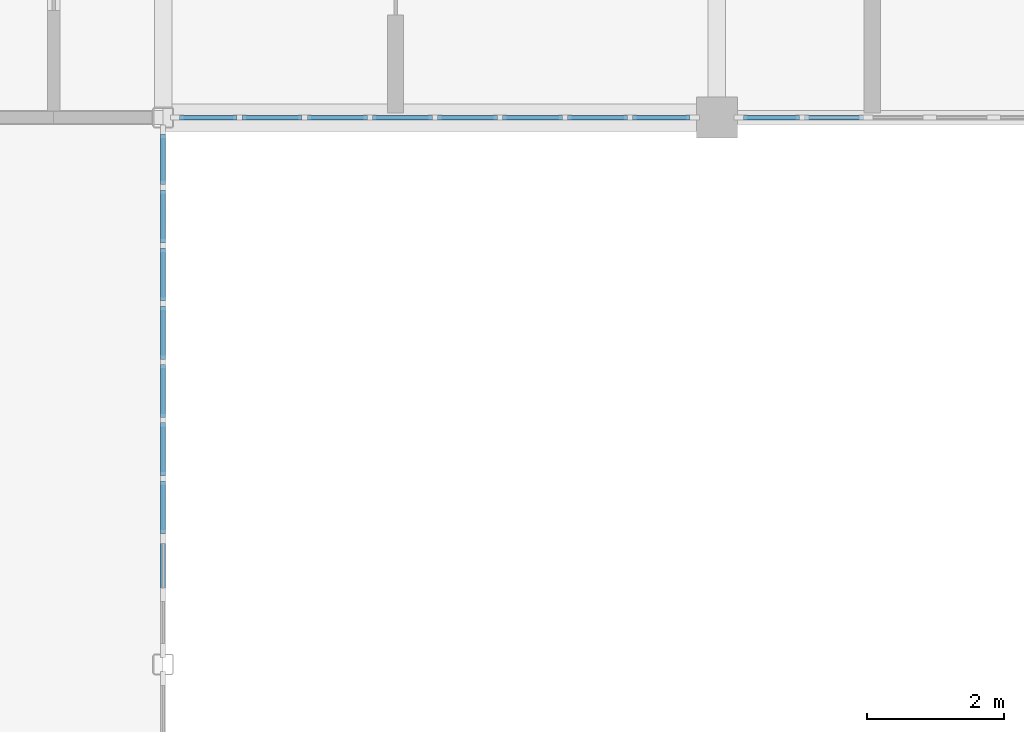
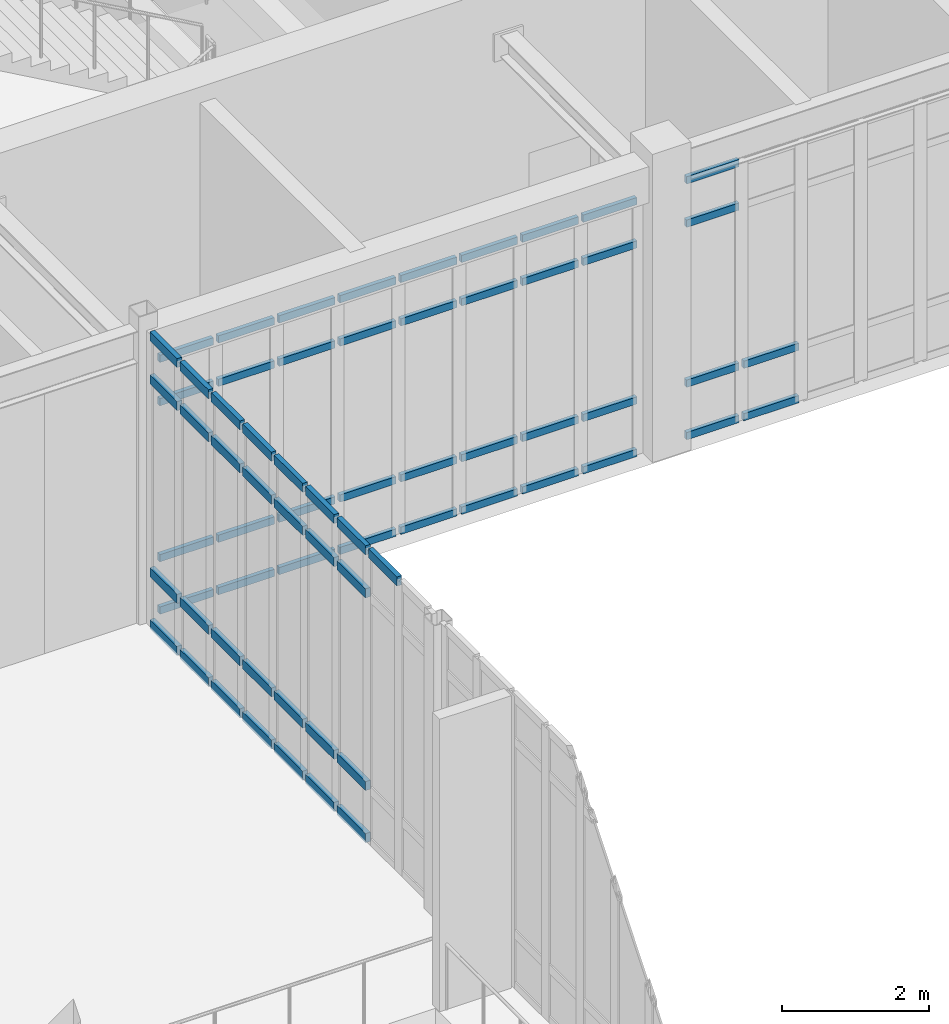
# One storey, part 55 of 107: 67 members, 3 elements without a shape of their own.
"""IFC4 building model written with IfcOpenShell, lengths in metres."""

from ifc_helpers import new_model, si_unit, direction, frame, origin, origin_2d, place, context, subcontext, project, spatial, rectangle, extrude, material, material_profile, profile_set, type_object, element, aggregate, save


model = new_model("IFC4")

# Units and contexts
model_context = context("Model", 3, precision=1e-05, world=origin(), true_north=direction((0.0, 1.0)))
body_context = subcontext(model_context, "Body", "Model", "MODEL_VIEW")
ifc_project = project(units=[si_unit("LENGTHUNIT", "METRE"), si_unit("AREAUNIT", "SQUARE_METRE"), si_unit("VOLUMEUNIT", "CUBIC_METRE"), si_unit("PLANEANGLEUNIT", "RADIAN"), si_unit("MASSUNIT", "GRAM", prefix="KILO")], contexts=[model_context])

# Site, building, storey
site_placement = place(None, origin())
site = spatial("IfcSite", under=ifc_project, at=site_placement, CompositionType="ELEMENT")
building_placement = place(site_placement, origin())
building = spatial("IfcBuilding", under=site, at=building_placement, Name="Tarnveldt Square Police Headquarters", CompositionType="ELEMENT")
storey_placement = place(building_placement, frame((0.0, 0.0, 14.699951171875)))
storey = spatial("IfcBuildingStorey", under=building, at=storey_placement, Name="L03", CompositionType="ELEMENT", Elevation=14.699951171875)

# Curtain wall, members
ifc_material_1 = material(Name="Triple-glazed low-e laminated vision glass", Category="glass")
curtain_wall_type_1 = type_object("IfcCurtainWallType", Name="CW-LB-762x423", PredefinedType="USERDEFINED", material=ifc_material_1)
curtain_wall_1_placement = place(storey_placement, origin())
curtain_wall_1 = element("IfcCurtainWall", 1, at=curtain_wall_1_placement, inside=storey, type_object=curtain_wall_type_1, Name="L03 Curtain Wall CW-L03-119", ObjectType="GLAZED CURTAIN WALL", PredefinedType="USERDEFINED")
ifc_material_2 = material(Name="Thermally broken anodised aluminium 6063-T6", Category="aluminium")
ifc_material_profile_1 = material_profile(ifc_material_2, rectangle(XDim=0.06494140625, YDim=0.1201171875, at=origin_2d()), Name="CW-T65x120")
ifc_profile_set_1 = profile_set([ifc_material_profile_1], Name="Thermally broken anodised aluminium 6063-T6")
member_type_1 = type_object("IfcMemberType", Name="CWT-65x120", PredefinedType="USERDEFINED", material=ifc_profile_set_1)
member_1_placement = place(storey_placement, frame((48.84228515625, 96.0, 0.032470703125), z_axis=(1.0, 0.0, 0.0), x_axis=(0.0, 1.0, 0.0)))
member_1 = element("IfcMember", 2, at=member_1_placement, type_object=member_type_1, Name="CW-LB70 transom 1.1", ObjectType="TRANSOM", PredefinedType="USERDEFINED", context=body_context, shape_type="SweptSolid", body=[
    extrude(rectangle(XDim=0.06494140625, YDim=0.1201171875, at=origin_2d()), origin(), (0.0, 0.0, 1.0), 0.83984375),
])
member_2_placement = place(storey_placement, frame((48.84228515625, 96.0, 0.900146484375), z_axis=(1.0, 0.0, 0.0), x_axis=(0.0, 1.0, 0.0)))
member_2 = element("IfcMember", 3, at=member_2_placement, type_object=member_type_1, Name="CW-LB70 transom 1.2", ObjectType="TRANSOM", PredefinedType="USERDEFINED", context=body_context, shape_type="SweptSolid", body=[
    extrude(rectangle(XDim=0.06494140625, YDim=0.1201171875, at=origin_2d()), origin(), (0.0, 0.0, 1.0), 0.83984375),
])
member_3_placement = place(storey_placement, frame((48.84228515625, 96.0, 3.48193359375), z_axis=(1.0, 0.0, 0.0), x_axis=(0.0, 1.0, 0.0)))
member_3 = element("IfcMember", 4, at=member_3_placement, type_object=member_type_1, Name="CW-LB70 transom 1.3", ObjectType="TRANSOM", PredefinedType="USERDEFINED", context=body_context, shape_type="SweptSolid", body=[
    extrude(rectangle(XDim=0.06494140625, YDim=0.1201171875, at=origin_2d()), origin(), (0.0, 0.0, 1.0), 0.83984375),
])
member_4_placement = place(storey_placement, frame((48.84228515625, 96.0, 4.199462890625), z_axis=(1.0, 0.0, 0.0), x_axis=(0.0, 1.0, 0.0)))
member_4 = element("IfcMember", 5, at=member_4_placement, type_object=member_type_1, Name="CW-LB70 transom 1.4", ObjectType="TRANSOM", PredefinedType="USERDEFINED", context=body_context, shape_type="SweptSolid", body=[
    extrude(rectangle(XDim=0.06494140625, YDim=0.1201171875, at=origin_2d()), origin(), (0.0, 0.0, 1.0), 0.83984375),
])
member_5_placement = place(storey_placement, frame((49.757080078125, 96.0, 0.032470703125), z_axis=(1.0, 0.0, 0.0), x_axis=(0.0, 1.0, 0.0)))
member_5 = element("IfcMember", 6, at=member_5_placement, type_object=member_type_1, Name="CW-LB70 transom 2.1", ObjectType="TRANSOM", PredefinedType="USERDEFINED", context=body_context, shape_type="SweptSolid", body=[
    extrude(rectangle(XDim=0.06494140625, YDim=0.1201171875, at=origin_2d()), origin(), (0.0, 0.0, 1.0), 0.877197265625),
])
member_6_placement = place(storey_placement, frame((49.757080078125, 96.0, 0.900146484375), z_axis=(1.0, 0.0, 0.0), x_axis=(0.0, 1.0, 0.0)))
member_6 = element("IfcMember", 7, at=member_6_placement, type_object=member_type_1, Name="CW-LB70 transom 2.2", ObjectType="TRANSOM", PredefinedType="USERDEFINED", context=body_context, shape_type="SweptSolid", body=[
    extrude(rectangle(XDim=0.06494140625, YDim=0.1201171875, at=origin_2d()), origin(), (0.0, 0.0, 1.0), 0.877197265625),
])
member_7_placement = place(storey_placement, frame((49.757080078125, 96.0, 3.48193359375), z_axis=(1.0, 0.0, 0.0), x_axis=(0.0, 1.0, 0.0)))
member_7 = element("IfcMember", 8, at=member_7_placement, type_object=member_type_1, Name="CW-LB70 transom 2.3", ObjectType="TRANSOM", PredefinedType="USERDEFINED", context=body_context, shape_type="SweptSolid", body=[
    extrude(rectangle(XDim=0.06494140625, YDim=0.1201171875, at=origin_2d()), origin(), (0.0, 0.0, 1.0), 0.877197265625),
])
member_8_placement = place(storey_placement, frame((49.757080078125, 96.0, 4.199462890625), z_axis=(1.0, 0.0, 0.0), x_axis=(0.0, 1.0, 0.0)))
member_8 = element("IfcMember", 9, at=member_8_placement, type_object=member_type_1, Name="CW-LB70 transom 2.4", ObjectType="TRANSOM", PredefinedType="USERDEFINED", context=body_context, shape_type="SweptSolid", body=[
    extrude(rectangle(XDim=0.06494140625, YDim=0.1201171875, at=origin_2d()), origin(), (0.0, 0.0, 1.0), 0.877197265625),
])
member_9_placement = place(storey_placement, frame((50.709228515625, 96.0, 0.032470703125), z_axis=(1.0, 0.0, 0.0), x_axis=(0.0, 1.0, 0.0)))
member_9 = element("IfcMember", 10, at=member_9_placement, type_object=member_type_1, Name="CW-LB70 transom 3.1", ObjectType="TRANSOM", PredefinedType="USERDEFINED", context=body_context, shape_type="SweptSolid", body=[
    extrude(rectangle(XDim=0.06494140625, YDim=0.1201171875, at=origin_2d()), origin(), (0.0, 0.0, 1.0), 0.877197265625),
])
member_10_placement = place(storey_placement, frame((50.709228515625, 96.0, 0.900146484375), z_axis=(1.0, 0.0, 0.0), x_axis=(0.0, 1.0, 0.0)))
member_10 = element("IfcMember", 11, at=member_10_placement, type_object=member_type_1, Name="CW-LB70 transom 3.2", ObjectType="TRANSOM", PredefinedType="USERDEFINED", context=body_context, shape_type="SweptSolid", body=[
    extrude(rectangle(XDim=0.06494140625, YDim=0.1201171875, at=origin_2d()), origin(), (0.0, 0.0, 1.0), 0.877197265625),
])
member_11_placement = place(storey_placement, frame((50.709228515625, 96.0, 3.48193359375), z_axis=(1.0, 0.0, 0.0), x_axis=(0.0, 1.0, 0.0)))
member_11 = element("IfcMember", 12, at=member_11_placement, type_object=member_type_1, Name="CW-LB70 transom 3.3", ObjectType="TRANSOM", PredefinedType="USERDEFINED", context=body_context, shape_type="SweptSolid", body=[
    extrude(rectangle(XDim=0.06494140625, YDim=0.1201171875, at=origin_2d()), origin(), (0.0, 0.0, 1.0), 0.877197265625),
])
member_12_placement = place(storey_placement, frame((50.709228515625, 96.0, 4.199462890625), z_axis=(1.0, 0.0, 0.0), x_axis=(0.0, 1.0, 0.0)))
member_12 = element("IfcMember", 13, at=member_12_placement, type_object=member_type_1, Name="CW-LB70 transom 3.4", ObjectType="TRANSOM", PredefinedType="USERDEFINED", context=body_context, shape_type="SweptSolid", body=[
    extrude(rectangle(XDim=0.06494140625, YDim=0.1201171875, at=origin_2d()), origin(), (0.0, 0.0, 1.0), 0.877197265625),
])
member_13_placement = place(storey_placement, frame((51.66162109375, 96.0, 0.032470703125), z_axis=(1.0, 0.0, 0.0), x_axis=(0.0, 1.0, 0.0)))
member_13 = element("IfcMember", 14, at=member_13_placement, type_object=member_type_1, Name="CW-LB70 transom 4.1", ObjectType="TRANSOM", PredefinedType="USERDEFINED", context=body_context, shape_type="SweptSolid", body=[
    extrude(rectangle(XDim=0.06494140625, YDim=0.1201171875, at=origin_2d()), origin(), (0.0, 0.0, 1.0), 0.877197265625),
])
member_14_placement = place(storey_placement, frame((51.66162109375, 96.0, 0.900146484375), z_axis=(1.0, 0.0, 0.0), x_axis=(0.0, 1.0, 0.0)))
member_14 = element("IfcMember", 15, at=member_14_placement, type_object=member_type_1, Name="CW-LB70 transom 4.2", ObjectType="TRANSOM", PredefinedType="USERDEFINED", context=body_context, shape_type="SweptSolid", body=[
    extrude(rectangle(XDim=0.06494140625, YDim=0.1201171875, at=origin_2d()), origin(), (0.0, 0.0, 1.0), 0.877197265625),
])
member_15_placement = place(storey_placement, frame((51.66162109375, 96.0, 3.48193359375), z_axis=(1.0, 0.0, 0.0), x_axis=(0.0, 1.0, 0.0)))
member_15 = element("IfcMember", 16, at=member_15_placement, type_object=member_type_1, Name="CW-LB70 transom 4.3", ObjectType="TRANSOM", PredefinedType="USERDEFINED", context=body_context, shape_type="SweptSolid", body=[
    extrude(rectangle(XDim=0.06494140625, YDim=0.1201171875, at=origin_2d()), origin(), (0.0, 0.0, 1.0), 0.877197265625),
])
member_16_placement = place(storey_placement, frame((51.66162109375, 96.0, 4.199462890625), z_axis=(1.0, 0.0, 0.0), x_axis=(0.0, 1.0, 0.0)))
member_16 = element("IfcMember", 17, at=member_16_placement, type_object=member_type_1, Name="CW-LB70 transom 4.4", ObjectType="TRANSOM", PredefinedType="USERDEFINED", context=body_context, shape_type="SweptSolid", body=[
    extrude(rectangle(XDim=0.06494140625, YDim=0.1201171875, at=origin_2d()), origin(), (0.0, 0.0, 1.0), 0.877197265625),
])
member_17_placement = place(storey_placement, frame((52.61376953125, 96.0, 0.032470703125), z_axis=(1.0, 0.0, 0.0), x_axis=(0.0, 1.0, 0.0)))
member_17 = element("IfcMember", 18, at=member_17_placement, type_object=member_type_1, Name="CW-LB70 transom 5.1", ObjectType="TRANSOM", PredefinedType="USERDEFINED", context=body_context, shape_type="SweptSolid", body=[
    extrude(rectangle(XDim=0.06494140625, YDim=0.1201171875, at=origin_2d()), origin(), (0.0, 0.0, 1.0), 0.877197265625),
])
member_18_placement = place(storey_placement, frame((52.61376953125, 96.0, 0.900146484375), z_axis=(1.0, 0.0, 0.0), x_axis=(0.0, 1.0, 0.0)))
member_18 = element("IfcMember", 19, at=member_18_placement, type_object=member_type_1, Name="CW-LB70 transom 5.2", ObjectType="TRANSOM", PredefinedType="USERDEFINED", context=body_context, shape_type="SweptSolid", body=[
    extrude(rectangle(XDim=0.06494140625, YDim=0.1201171875, at=origin_2d()), origin(), (0.0, 0.0, 1.0), 0.877197265625),
])
member_19_placement = place(storey_placement, frame((52.61376953125, 96.0, 3.48193359375), z_axis=(1.0, 0.0, 0.0), x_axis=(0.0, 1.0, 0.0)))
member_19 = element("IfcMember", 20, at=member_19_placement, type_object=member_type_1, Name="CW-LB70 transom 5.3", ObjectType="TRANSOM", PredefinedType="USERDEFINED", context=body_context, shape_type="SweptSolid", body=[
    extrude(rectangle(XDim=0.06494140625, YDim=0.1201171875, at=origin_2d()), origin(), (0.0, 0.0, 1.0), 0.877197265625),
])
member_20_placement = place(storey_placement, frame((52.61376953125, 96.0, 4.199462890625), z_axis=(1.0, 0.0, 0.0), x_axis=(0.0, 1.0, 0.0)))
member_20 = element("IfcMember", 21, at=member_20_placement, type_object=member_type_1, Name="CW-LB70 transom 5.4", ObjectType="TRANSOM", PredefinedType="USERDEFINED", context=body_context, shape_type="SweptSolid", body=[
    extrude(rectangle(XDim=0.06494140625, YDim=0.1201171875, at=origin_2d()), origin(), (0.0, 0.0, 1.0), 0.877197265625),
])
member_21_placement = place(storey_placement, frame((53.56591796875, 96.0, 0.032470703125), z_axis=(1.0, 0.0, 0.0), x_axis=(0.0, 1.0, 0.0)))
member_21 = element("IfcMember", 22, at=member_21_placement, type_object=member_type_1, Name="CW-LB70 transom 6.1", ObjectType="TRANSOM", PredefinedType="USERDEFINED", context=body_context, shape_type="SweptSolid", body=[
    extrude(rectangle(XDim=0.06494140625, YDim=0.1201171875, at=origin_2d()), origin(), (0.0, 0.0, 1.0), 0.877197265625),
])
member_22_placement = place(storey_placement, frame((53.56591796875, 96.0, 0.900146484375), z_axis=(1.0, 0.0, 0.0), x_axis=(0.0, 1.0, 0.0)))
member_22 = element("IfcMember", 23, at=member_22_placement, type_object=member_type_1, Name="CW-LB70 transom 6.2", ObjectType="TRANSOM", PredefinedType="USERDEFINED", context=body_context, shape_type="SweptSolid", body=[
    extrude(rectangle(XDim=0.06494140625, YDim=0.1201171875, at=origin_2d()), origin(), (0.0, 0.0, 1.0), 0.877197265625),
])
member_23_placement = place(storey_placement, frame((53.56591796875, 96.0, 3.48193359375), z_axis=(1.0, 0.0, 0.0), x_axis=(0.0, 1.0, 0.0)))
member_23 = element("IfcMember", 24, at=member_23_placement, type_object=member_type_1, Name="CW-LB70 transom 6.3", ObjectType="TRANSOM", PredefinedType="USERDEFINED", context=body_context, shape_type="SweptSolid", body=[
    extrude(rectangle(XDim=0.06494140625, YDim=0.1201171875, at=origin_2d()), origin(), (0.0, 0.0, 1.0), 0.877197265625),
])
member_24_placement = place(storey_placement, frame((53.56591796875, 96.0, 4.199462890625), z_axis=(1.0, 0.0, 0.0), x_axis=(0.0, 1.0, 0.0)))
member_24 = element("IfcMember", 25, at=member_24_placement, type_object=member_type_1, Name="CW-LB70 transom 6.4", ObjectType="TRANSOM", PredefinedType="USERDEFINED", context=body_context, shape_type="SweptSolid", body=[
    extrude(rectangle(XDim=0.06494140625, YDim=0.1201171875, at=origin_2d()), origin(), (0.0, 0.0, 1.0), 0.877197265625),
])
member_25_placement = place(storey_placement, frame((54.51806640625, 96.0, 0.032470703125), z_axis=(1.0, 0.0, 0.0), x_axis=(0.0, 1.0, 0.0)))
member_25 = element("IfcMember", 26, at=member_25_placement, type_object=member_type_1, Name="CW-LB70 transom 7.1", ObjectType="TRANSOM", PredefinedType="USERDEFINED", context=body_context, shape_type="SweptSolid", body=[
    extrude(rectangle(XDim=0.06494140625, YDim=0.1201171875, at=origin_2d()), origin(), (0.0, 0.0, 1.0), 0.877197265625),
])
member_26_placement = place(storey_placement, frame((54.51806640625, 96.0, 0.900146484375), z_axis=(1.0, 0.0, 0.0), x_axis=(0.0, 1.0, 0.0)))
member_26 = element("IfcMember", 27, at=member_26_placement, type_object=member_type_1, Name="CW-LB70 transom 7.2", ObjectType="TRANSOM", PredefinedType="USERDEFINED", context=body_context, shape_type="SweptSolid", body=[
    extrude(rectangle(XDim=0.06494140625, YDim=0.1201171875, at=origin_2d()), origin(), (0.0, 0.0, 1.0), 0.877197265625),
])
member_27_placement = place(storey_placement, frame((54.51806640625, 96.0, 3.48193359375), z_axis=(1.0, 0.0, 0.0), x_axis=(0.0, 1.0, 0.0)))
member_27 = element("IfcMember", 28, at=member_27_placement, type_object=member_type_1, Name="CW-LB70 transom 7.3", ObjectType="TRANSOM", PredefinedType="USERDEFINED", context=body_context, shape_type="SweptSolid", body=[
    extrude(rectangle(XDim=0.06494140625, YDim=0.1201171875, at=origin_2d()), origin(), (0.0, 0.0, 1.0), 0.877197265625),
])
member_28_placement = place(storey_placement, frame((54.51806640625, 96.0, 4.199462890625), z_axis=(1.0, 0.0, 0.0), x_axis=(0.0, 1.0, 0.0)))
member_28 = element("IfcMember", 29, at=member_28_placement, type_object=member_type_1, Name="CW-LB70 transom 7.4", ObjectType="TRANSOM", PredefinedType="USERDEFINED", context=body_context, shape_type="SweptSolid", body=[
    extrude(rectangle(XDim=0.06494140625, YDim=0.1201171875, at=origin_2d()), origin(), (0.0, 0.0, 1.0), 0.877197265625),
])
member_29_placement = place(storey_placement, frame((55.47021484375, 96.0, 0.032470703125), z_axis=(1.0, 0.0, 0.0), x_axis=(0.0, 1.0, 0.0)))
member_29 = element("IfcMember", 30, at=member_29_placement, type_object=member_type_1, Name="CW-LB70 transom 8.1", ObjectType="TRANSOM", PredefinedType="USERDEFINED", context=body_context, shape_type="SweptSolid", body=[
    extrude(rectangle(XDim=0.06494140625, YDim=0.1201171875, at=origin_2d()), origin(), (0.0, 0.0, 1.0), 0.83984375),
])
member_30_placement = place(storey_placement, frame((55.47021484375, 96.0, 0.900146484375), z_axis=(1.0, 0.0, 0.0), x_axis=(0.0, 1.0, 0.0)))
member_30 = element("IfcMember", 31, at=member_30_placement, type_object=member_type_1, Name="CW-LB70 transom 8.2", ObjectType="TRANSOM", PredefinedType="USERDEFINED", context=body_context, shape_type="SweptSolid", body=[
    extrude(rectangle(XDim=0.06494140625, YDim=0.1201171875, at=origin_2d()), origin(), (0.0, 0.0, 1.0), 0.83984375),
])
member_31_placement = place(storey_placement, frame((55.47021484375, 96.0, 3.48193359375), z_axis=(1.0, 0.0, 0.0), x_axis=(0.0, 1.0, 0.0)))
member_31 = element("IfcMember", 32, at=member_31_placement, type_object=member_type_1, Name="CW-LB70 transom 8.3", ObjectType="TRANSOM", PredefinedType="USERDEFINED", context=body_context, shape_type="SweptSolid", body=[
    extrude(rectangle(XDim=0.06494140625, YDim=0.1201171875, at=origin_2d()), origin(), (0.0, 0.0, 1.0), 0.83984375),
])
member_32_placement = place(storey_placement, frame((55.47021484375, 96.0, 4.199462890625), z_axis=(1.0, 0.0, 0.0), x_axis=(0.0, 1.0, 0.0)))
member_32 = element("IfcMember", 33, at=member_32_placement, type_object=member_type_1, Name="CW-LB70 transom 8.4", ObjectType="TRANSOM", PredefinedType="USERDEFINED", context=body_context, shape_type="SweptSolid", body=[
    extrude(rectangle(XDim=0.06494140625, YDim=0.1201171875, at=origin_2d()), origin(), (0.0, 0.0, 1.0), 0.83984375),
])
aggregate(curtain_wall_1, [member_1, member_2, member_3, member_4, member_5, member_6, member_7, member_8, member_9, member_10, member_11, member_12, member_13, member_14, member_15, member_16, member_17, member_18, member_19, member_20, member_21, member_22, member_23, member_24, member_25, member_26, member_27, member_28, member_29, member_30, member_31, member_32])

curtain_wall_type_2 = type_object("IfcCurtainWallType", Name="CW-LB-747x430", PredefinedType="USERDEFINED", material=ifc_material_1)
curtain_wall_2_placement = place(storey_placement, origin())
curtain_wall_2 = element("IfcCurtainWall", 34, at=curtain_wall_2_placement, inside=storey, type_object=curtain_wall_type_2, Name="L03 Curtain Wall CW-L03-120", ObjectType="GLAZED CURTAIN WALL", PredefinedType="USERDEFINED")
member_33_placement = place(storey_placement, frame((57.090087890625, 96.0, 0.032470703125), z_axis=(1.0, 0.0, 0.0), x_axis=(0.0, 1.0, 0.0)))
member_33 = element("IfcMember", 35, at=member_33_placement, type_object=member_type_1, Name="CW-LB71 transom 1.1", ObjectType="TRANSOM", PredefinedType="USERDEFINED", context=body_context, shape_type="SweptSolid", body=[
    extrude(rectangle(XDim=0.06494140625, YDim=0.1201171875, at=origin_2d()), origin(), (0.0, 0.0, 1.0), 0.821044921875),
])
member_34_placement = place(storey_placement, frame((57.090087890625, 96.0, 0.900146484375), z_axis=(1.0, 0.0, 0.0), x_axis=(0.0, 1.0, 0.0)))
member_34 = element("IfcMember", 36, at=member_34_placement, type_object=member_type_1, Name="CW-LB71 transom 1.2", ObjectType="TRANSOM", PredefinedType="USERDEFINED", context=body_context, shape_type="SweptSolid", body=[
    extrude(rectangle(XDim=0.06494140625, YDim=0.1201171875, at=origin_2d()), origin(), (0.0, 0.0, 1.0), 0.821044921875),
])
member_35_placement = place(storey_placement, frame((57.090087890625, 96.0, 3.549072265625), z_axis=(1.0, 0.0, 0.0), x_axis=(0.0, 1.0, 0.0)))
member_35 = element("IfcMember", 37, at=member_35_placement, type_object=member_type_1, Name="CW-LB71 transom 1.3", ObjectType="TRANSOM", PredefinedType="USERDEFINED", context=body_context, shape_type="SweptSolid", body=[
    extrude(rectangle(XDim=0.06494140625, YDim=0.1201171875, at=origin_2d()), origin(), (0.0, 0.0, 1.0), 0.821044921875),
])
member_36_placement = place(storey_placement, frame((57.090087890625, 96.0, 4.2666015625), z_axis=(1.0, 0.0, 0.0), x_axis=(0.0, 1.0, 0.0)))
member_36 = element("IfcMember", 38, at=member_36_placement, type_object=member_type_1, Name="CW-LB71 transom 1.4", ObjectType="TRANSOM", PredefinedType="USERDEFINED", context=body_context, shape_type="SweptSolid", body=[
    extrude(rectangle(XDim=0.06494140625, YDim=0.1201171875, at=origin_2d()), origin(), (0.0, 0.0, 1.0), 0.821044921875),
])
member_37_placement = place(storey_placement, frame((57.986328125, 96.0, 0.032470703125), z_axis=(1.0, 0.0, 0.0), x_axis=(0.0, 1.0, 0.0)))
member_37 = element("IfcMember", 39, at=member_37_placement, type_object=member_type_1, Name="CW-LB71 transom 2.1", ObjectType="TRANSOM", PredefinedType="USERDEFINED", context=body_context, shape_type="SweptSolid", body=[
    extrude(rectangle(XDim=0.06494140625, YDim=0.1201171875, at=origin_2d()), origin(), (0.0, 0.0, 1.0), 0.858642578125),
])
member_38_placement = place(storey_placement, frame((57.986328125, 96.0, 0.900146484375), z_axis=(1.0, 0.0, 0.0), x_axis=(0.0, 1.0, 0.0)))
member_38 = element("IfcMember", 40, at=member_38_placement, type_object=member_type_1, Name="CW-LB71 transom 2.2", ObjectType="TRANSOM", PredefinedType="USERDEFINED", context=body_context, shape_type="SweptSolid", body=[
    extrude(rectangle(XDim=0.06494140625, YDim=0.1201171875, at=origin_2d()), origin(), (0.0, 0.0, 1.0), 0.858642578125),
])
aggregate(curtain_wall_2, [member_33, member_34, member_35, member_36, member_37, member_38])

curtain_wall_type_3 = type_object("IfcCurtainWallType", Name="CW-WG-767x484", PredefinedType="USERDEFINED", material=ifc_material_1)
curtain_wall_3_placement = place(storey_placement, origin())
curtain_wall_3 = element("IfcCurtainWall", 41, at=curtain_wall_3_placement, inside=storey, type_object=curtain_wall_type_3, Name="L03 Curtain Wall CW-L03-082", ObjectType="GLAZED CURTAIN WALL", PredefinedType="USERDEFINED")
ifc_material_profile_2 = material_profile(ifc_material_2, rectangle(XDim=0.074951171875, YDim=0.14990234375, at=origin_2d()), Name="CW-T75x150")
ifc_profile_set_2 = profile_set([ifc_material_profile_2], Name="Thermally broken anodised aluminium 6063-T6")
member_type_2 = type_object("IfcMemberType", Name="CWT-75x150", PredefinedType="USERDEFINED", material=ifc_profile_set_2)
member_39_placement = place(storey_placement, frame((48.60009765625, 89.056640625, 4.802490234375), z_axis=(0.0, 1.0, 0.0), x_axis=(-1.0, 0.0, 0.0)))
member_39 = element("IfcMember", 42, at=member_39_placement, type_object=member_type_2, Name="CW-WG40 transom 2.4", ObjectType="TRANSOM", PredefinedType="USERDEFINED", context=body_context, shape_type="SweptSolid", body=[
    extrude(rectangle(XDim=0.074951171875, YDim=0.14990234375, at=origin_2d()), origin(), (0.0, 0.0, 1.0), 0.776611328125),
])
member_40_placement = place(storey_placement, frame((48.60009765625, 89.908203125, 0.03759765625), z_axis=(0.0, 1.0, 0.0), x_axis=(-1.0, 0.0, 0.0)))
member_40 = element("IfcMember", 43, at=member_40_placement, type_object=member_type_2, Name="CW-WG40 transom 3.1", ObjectType="TRANSOM", PredefinedType="USERDEFINED", context=body_context, shape_type="SweptSolid", body=[
    extrude(rectangle(XDim=0.074951171875, YDim=0.14990234375, at=origin_2d()), origin(), (0.0, 0.0, 1.0), 0.77685546875),
])
member_41_placement = place(storey_placement, frame((48.60009765625, 89.908203125, 0.900146484375), z_axis=(0.0, 1.0, 0.0), x_axis=(-1.0, 0.0, 0.0)))
member_41 = element("IfcMember", 44, at=member_41_placement, type_object=member_type_2, Name="CW-WG40 transom 3.2", ObjectType="TRANSOM", PredefinedType="USERDEFINED", context=body_context, shape_type="SweptSolid", body=[
    extrude(rectangle(XDim=0.074951171875, YDim=0.14990234375, at=origin_2d()), origin(), (0.0, 0.0, 1.0), 0.77685546875),
])
member_42_placement = place(storey_placement, frame((48.60009765625, 89.908203125, 4.090087890625), z_axis=(0.0, 1.0, 0.0), x_axis=(-1.0, 0.0, 0.0)))
member_42 = element("IfcMember", 45, at=member_42_placement, type_object=member_type_2, Name="CW-WG40 transom 3.3", ObjectType="TRANSOM", PredefinedType="USERDEFINED", context=body_context, shape_type="SweptSolid", body=[
    extrude(rectangle(XDim=0.074951171875, YDim=0.14990234375, at=origin_2d()), origin(), (0.0, 0.0, 1.0), 0.77685546875),
])
member_43_placement = place(storey_placement, frame((48.60009765625, 89.908203125, 4.802490234375), z_axis=(0.0, 1.0, 0.0), x_axis=(-1.0, 0.0, 0.0)))
member_43 = element("IfcMember", 46, at=member_43_placement, type_object=member_type_2, Name="CW-WG40 transom 3.4", ObjectType="TRANSOM", PredefinedType="USERDEFINED", context=body_context, shape_type="SweptSolid", body=[
    extrude(rectangle(XDim=0.074951171875, YDim=0.14990234375, at=origin_2d()), origin(), (0.0, 0.0, 1.0), 0.77685546875),
])
member_44_placement = place(storey_placement, frame((48.60009765625, 90.760009765625, 0.03759765625), z_axis=(0.0, 1.0, 0.0), x_axis=(-1.0, 0.0, 0.0)))
member_44 = element("IfcMember", 47, at=member_44_placement, type_object=member_type_2, Name="CW-WG40 transom 4.1", ObjectType="TRANSOM", PredefinedType="USERDEFINED", context=body_context, shape_type="SweptSolid", body=[
    extrude(rectangle(XDim=0.074951171875, YDim=0.14990234375, at=origin_2d()), origin(), (0.0, 0.0, 1.0), 0.776611328125),
])
member_45_placement = place(storey_placement, frame((48.60009765625, 90.760009765625, 0.900146484375), z_axis=(0.0, 1.0, 0.0), x_axis=(-1.0, 0.0, 0.0)))
member_45 = element("IfcMember", 48, at=member_45_placement, type_object=member_type_2, Name="CW-WG40 transom 4.2", ObjectType="TRANSOM", PredefinedType="USERDEFINED", context=body_context, shape_type="SweptSolid", body=[
    extrude(rectangle(XDim=0.074951171875, YDim=0.14990234375, at=origin_2d()), origin(), (0.0, 0.0, 1.0), 0.776611328125),
])
member_46_placement = place(storey_placement, frame((48.60009765625, 90.760009765625, 4.090087890625), z_axis=(0.0, 1.0, 0.0), x_axis=(-1.0, 0.0, 0.0)))
member_46 = element("IfcMember", 49, at=member_46_placement, type_object=member_type_2, Name="CW-WG40 transom 4.3", ObjectType="TRANSOM", PredefinedType="USERDEFINED", context=body_context, shape_type="SweptSolid", body=[
    extrude(rectangle(XDim=0.074951171875, YDim=0.14990234375, at=origin_2d()), origin(), (0.0, 0.0, 1.0), 0.776611328125),
])
member_47_placement = place(storey_placement, frame((48.60009765625, 90.760009765625, 4.802490234375), z_axis=(0.0, 1.0, 0.0), x_axis=(-1.0, 0.0, 0.0)))
member_47 = element("IfcMember", 50, at=member_47_placement, type_object=member_type_2, Name="CW-WG40 transom 4.4", ObjectType="TRANSOM", PredefinedType="USERDEFINED", context=body_context, shape_type="SweptSolid", body=[
    extrude(rectangle(XDim=0.074951171875, YDim=0.14990234375, at=origin_2d()), origin(), (0.0, 0.0, 1.0), 0.776611328125),
])
member_48_placement = place(storey_placement, frame((48.60009765625, 91.611572265625, 0.03759765625), z_axis=(0.0, 1.0, 0.0), x_axis=(-1.0, 0.0, 0.0)))
member_48 = element("IfcMember", 51, at=member_48_placement, type_object=member_type_2, Name="CW-WG40 transom 5.1", ObjectType="TRANSOM", PredefinedType="USERDEFINED", context=body_context, shape_type="SweptSolid", body=[
    extrude(rectangle(XDim=0.074951171875, YDim=0.14990234375, at=origin_2d()), origin(), (0.0, 0.0, 1.0), 0.77685546875),
])
member_49_placement = place(storey_placement, frame((48.60009765625, 91.611572265625, 0.900146484375), z_axis=(0.0, 1.0, 0.0), x_axis=(-1.0, 0.0, 0.0)))
member_49 = element("IfcMember", 52, at=member_49_placement, type_object=member_type_2, Name="CW-WG40 transom 5.2", ObjectType="TRANSOM", PredefinedType="USERDEFINED", context=body_context, shape_type="SweptSolid", body=[
    extrude(rectangle(XDim=0.074951171875, YDim=0.14990234375, at=origin_2d()), origin(), (0.0, 0.0, 1.0), 0.77685546875),
])
member_50_placement = place(storey_placement, frame((48.60009765625, 91.611572265625, 4.090087890625), z_axis=(0.0, 1.0, 0.0), x_axis=(-1.0, 0.0, 0.0)))
member_50 = element("IfcMember", 53, at=member_50_placement, type_object=member_type_2, Name="CW-WG40 transom 5.3", ObjectType="TRANSOM", PredefinedType="USERDEFINED", context=body_context, shape_type="SweptSolid", body=[
    extrude(rectangle(XDim=0.074951171875, YDim=0.14990234375, at=origin_2d()), origin(), (0.0, 0.0, 1.0), 0.77685546875),
])
member_51_placement = place(storey_placement, frame((48.60009765625, 91.611572265625, 4.802490234375), z_axis=(0.0, 1.0, 0.0), x_axis=(-1.0, 0.0, 0.0)))
member_51 = element("IfcMember", 54, at=member_51_placement, type_object=member_type_2, Name="CW-WG40 transom 5.4", ObjectType="TRANSOM", PredefinedType="USERDEFINED", context=body_context, shape_type="SweptSolid", body=[
    extrude(rectangle(XDim=0.074951171875, YDim=0.14990234375, at=origin_2d()), origin(), (0.0, 0.0, 1.0), 0.77685546875),
])
member_52_placement = place(storey_placement, frame((48.60009765625, 92.46337890625, 0.03759765625), z_axis=(0.0, 1.0, 0.0), x_axis=(-1.0, 0.0, 0.0)))
member_52 = element("IfcMember", 55, at=member_52_placement, type_object=member_type_2, Name="CW-WG40 transom 6.1", ObjectType="TRANSOM", PredefinedType="USERDEFINED", context=body_context, shape_type="SweptSolid", body=[
    extrude(rectangle(XDim=0.074951171875, YDim=0.14990234375, at=origin_2d()), origin(), (0.0, 0.0, 1.0), 0.776611328125),
])
member_53_placement = place(storey_placement, frame((48.60009765625, 92.46337890625, 0.900146484375), z_axis=(0.0, 1.0, 0.0), x_axis=(-1.0, 0.0, 0.0)))
member_53 = element("IfcMember", 56, at=member_53_placement, type_object=member_type_2, Name="CW-WG40 transom 6.2", ObjectType="TRANSOM", PredefinedType="USERDEFINED", context=body_context, shape_type="SweptSolid", body=[
    extrude(rectangle(XDim=0.074951171875, YDim=0.14990234375, at=origin_2d()), origin(), (0.0, 0.0, 1.0), 0.776611328125),
])
member_54_placement = place(storey_placement, frame((48.60009765625, 92.46337890625, 4.090087890625), z_axis=(0.0, 1.0, 0.0), x_axis=(-1.0, 0.0, 0.0)))
member_54 = element("IfcMember", 57, at=member_54_placement, type_object=member_type_2, Name="CW-WG40 transom 6.3", ObjectType="TRANSOM", PredefinedType="USERDEFINED", context=body_context, shape_type="SweptSolid", body=[
    extrude(rectangle(XDim=0.074951171875, YDim=0.14990234375, at=origin_2d()), origin(), (0.0, 0.0, 1.0), 0.776611328125),
])
member_55_placement = place(storey_placement, frame((48.60009765625, 92.46337890625, 4.802490234375), z_axis=(0.0, 1.0, 0.0), x_axis=(-1.0, 0.0, 0.0)))
member_55 = element("IfcMember", 58, at=member_55_placement, type_object=member_type_2, Name="CW-WG40 transom 6.4", ObjectType="TRANSOM", PredefinedType="USERDEFINED", context=body_context, shape_type="SweptSolid", body=[
    extrude(rectangle(XDim=0.074951171875, YDim=0.14990234375, at=origin_2d()), origin(), (0.0, 0.0, 1.0), 0.776611328125),
])
member_56_placement = place(storey_placement, frame((48.60009765625, 93.31494140625, 0.03759765625), z_axis=(0.0, 1.0, 0.0), x_axis=(-1.0, 0.0, 0.0)))
member_56 = element("IfcMember", 59, at=member_56_placement, type_object=member_type_2, Name="CW-WG40 transom 7.1", ObjectType="TRANSOM", PredefinedType="USERDEFINED", context=body_context, shape_type="SweptSolid", body=[
    extrude(rectangle(XDim=0.074951171875, YDim=0.14990234375, at=origin_2d()), origin(), (0.0, 0.0, 1.0), 0.77685546875),
])
member_57_placement = place(storey_placement, frame((48.60009765625, 93.31494140625, 0.900146484375), z_axis=(0.0, 1.0, 0.0), x_axis=(-1.0, 0.0, 0.0)))
member_57 = element("IfcMember", 60, at=member_57_placement, type_object=member_type_2, Name="CW-WG40 transom 7.2", ObjectType="TRANSOM", PredefinedType="USERDEFINED", context=body_context, shape_type="SweptSolid", body=[
    extrude(rectangle(XDim=0.074951171875, YDim=0.14990234375, at=origin_2d()), origin(), (0.0, 0.0, 1.0), 0.77685546875),
])
member_58_placement = place(storey_placement, frame((48.60009765625, 93.31494140625, 4.090087890625), z_axis=(0.0, 1.0, 0.0), x_axis=(-1.0, 0.0, 0.0)))
member_58 = element("IfcMember", 61, at=member_58_placement, type_object=member_type_2, Name="CW-WG40 transom 7.3", ObjectType="TRANSOM", PredefinedType="USERDEFINED", context=body_context, shape_type="SweptSolid", body=[
    extrude(rectangle(XDim=0.074951171875, YDim=0.14990234375, at=origin_2d()), origin(), (0.0, 0.0, 1.0), 0.77685546875),
])
member_59_placement = place(storey_placement, frame((48.60009765625, 93.31494140625, 4.802490234375), z_axis=(0.0, 1.0, 0.0), x_axis=(-1.0, 0.0, 0.0)))
member_59 = element("IfcMember", 62, at=member_59_placement, type_object=member_type_2, Name="CW-WG40 transom 7.4", ObjectType="TRANSOM", PredefinedType="USERDEFINED", context=body_context, shape_type="SweptSolid", body=[
    extrude(rectangle(XDim=0.074951171875, YDim=0.14990234375, at=origin_2d()), origin(), (0.0, 0.0, 1.0), 0.77685546875),
])
member_60_placement = place(storey_placement, frame((48.60009765625, 94.166748046875, 0.03759765625), z_axis=(0.0, 1.0, 0.0), x_axis=(-1.0, 0.0, 0.0)))
member_60 = element("IfcMember", 63, at=member_60_placement, type_object=member_type_2, Name="CW-WG40 transom 8.1", ObjectType="TRANSOM", PredefinedType="USERDEFINED", context=body_context, shape_type="SweptSolid", body=[
    extrude(rectangle(XDim=0.074951171875, YDim=0.14990234375, at=origin_2d()), origin(), (0.0, 0.0, 1.0), 0.776611328125),
])
member_61_placement = place(storey_placement, frame((48.60009765625, 94.166748046875, 0.900146484375), z_axis=(0.0, 1.0, 0.0), x_axis=(-1.0, 0.0, 0.0)))
member_61 = element("IfcMember", 64, at=member_61_placement, type_object=member_type_2, Name="CW-WG40 transom 8.2", ObjectType="TRANSOM", PredefinedType="USERDEFINED", context=body_context, shape_type="SweptSolid", body=[
    extrude(rectangle(XDim=0.074951171875, YDim=0.14990234375, at=origin_2d()), origin(), (0.0, 0.0, 1.0), 0.776611328125),
])
member_62_placement = place(storey_placement, frame((48.60009765625, 94.166748046875, 4.090087890625), z_axis=(0.0, 1.0, 0.0), x_axis=(-1.0, 0.0, 0.0)))
member_62 = element("IfcMember", 65, at=member_62_placement, type_object=member_type_2, Name="CW-WG40 transom 8.3", ObjectType="TRANSOM", PredefinedType="USERDEFINED", context=body_context, shape_type="SweptSolid", body=[
    extrude(rectangle(XDim=0.074951171875, YDim=0.14990234375, at=origin_2d()), origin(), (0.0, 0.0, 1.0), 0.776611328125),
])
member_63_placement = place(storey_placement, frame((48.60009765625, 94.166748046875, 4.802490234375), z_axis=(0.0, 1.0, 0.0), x_axis=(-1.0, 0.0, 0.0)))
member_63 = element("IfcMember", 66, at=member_63_placement, type_object=member_type_2, Name="CW-WG40 transom 8.4", ObjectType="TRANSOM", PredefinedType="USERDEFINED", context=body_context, shape_type="SweptSolid", body=[
    extrude(rectangle(XDim=0.074951171875, YDim=0.14990234375, at=origin_2d()), origin(), (0.0, 0.0, 1.0), 0.776611328125),
])
member_64_placement = place(storey_placement, frame((48.60009765625, 95.018310546875, 0.03759765625), z_axis=(0.0, 1.0, 0.0), x_axis=(-1.0, 0.0, 0.0)))
member_64 = element("IfcMember", 67, at=member_64_placement, type_object=member_type_2, Name="CW-WG40 transom 9.1", ObjectType="TRANSOM", PredefinedType="USERDEFINED", context=body_context, shape_type="SweptSolid", body=[
    extrude(rectangle(XDim=0.074951171875, YDim=0.14990234375, at=origin_2d()), origin(), (0.0, 0.0, 1.0), 0.7392578125),
])
member_65_placement = place(storey_placement, frame((48.60009765625, 95.018310546875, 0.900146484375), z_axis=(0.0, 1.0, 0.0), x_axis=(-1.0, 0.0, 0.0)))
member_65 = element("IfcMember", 68, at=member_65_placement, type_object=member_type_2, Name="CW-WG40 transom 9.2", ObjectType="TRANSOM", PredefinedType="USERDEFINED", context=body_context, shape_type="SweptSolid", body=[
    extrude(rectangle(XDim=0.074951171875, YDim=0.14990234375, at=origin_2d()), origin(), (0.0, 0.0, 1.0), 0.7392578125),
])
member_66_placement = place(storey_placement, frame((48.60009765625, 95.018310546875, 4.090087890625), z_axis=(0.0, 1.0, 0.0), x_axis=(-1.0, 0.0, 0.0)))
member_66 = element("IfcMember", 69, at=member_66_placement, type_object=member_type_2, Name="CW-WG40 transom 9.3", ObjectType="TRANSOM", PredefinedType="USERDEFINED", context=body_context, shape_type="SweptSolid", body=[
    extrude(rectangle(XDim=0.074951171875, YDim=0.14990234375, at=origin_2d()), origin(), (0.0, 0.0, 1.0), 0.7392578125),
])
member_67_placement = place(storey_placement, frame((48.60009765625, 95.018310546875, 4.802490234375), z_axis=(0.0, 1.0, 0.0), x_axis=(-1.0, 0.0, 0.0)))
member_67 = element("IfcMember", 70, at=member_67_placement, type_object=member_type_2, Name="CW-WG40 transom 9.4", ObjectType="TRANSOM", PredefinedType="USERDEFINED", context=body_context, shape_type="SweptSolid", body=[
    extrude(rectangle(XDim=0.074951171875, YDim=0.14990234375, at=origin_2d()), origin(), (0.0, 0.0, 1.0), 0.7392578125),
])
aggregate(curtain_wall_3, [member_39, member_40, member_41, member_42, member_43, member_44, member_45, member_46, member_47, member_48, member_49, member_50, member_51, member_52, member_53, member_54, member_55, member_56, member_57, member_58, member_59, member_60, member_61, member_62, member_63, member_64, member_65, member_66, member_67])

save(model, "model.ifc")
